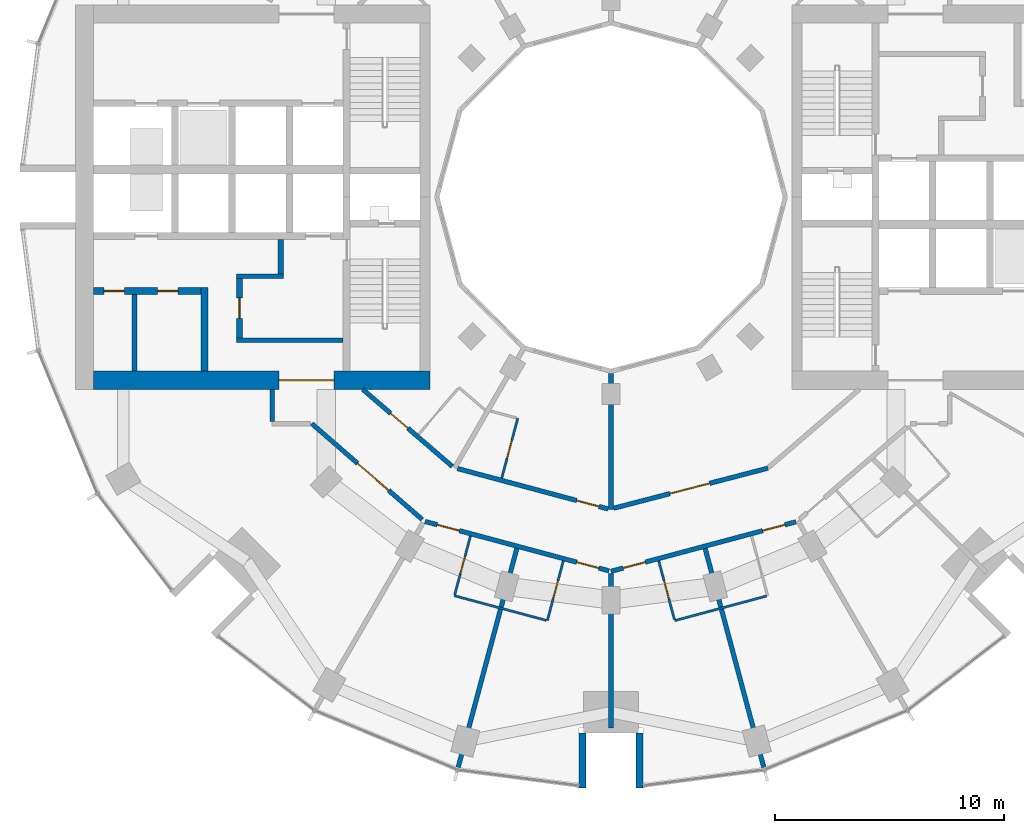
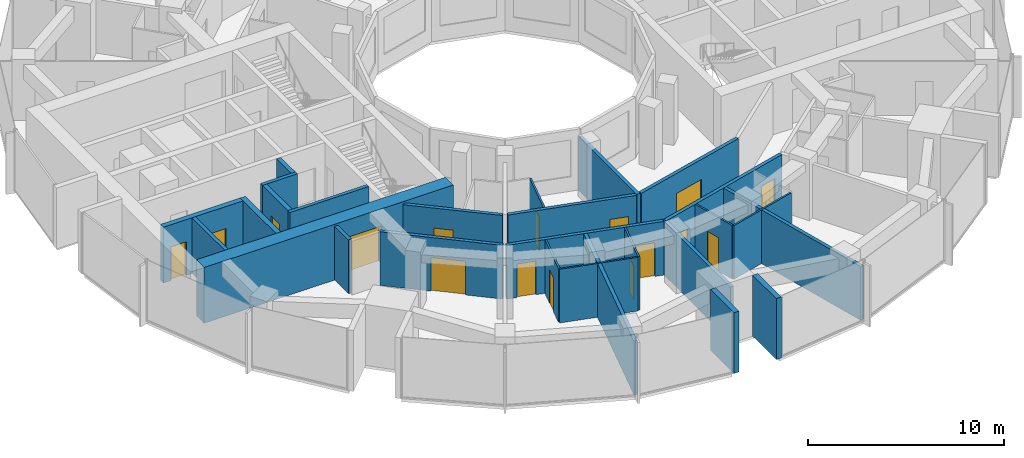
# One storey, part 8 of 15: 27 walls, 16 doors, 16 openings.
"""IFC4 building model written with IfcOpenShell, lengths in metres."""

from ifc_helpers import new_model, si_unit, direction, frame, frame_2d, origin, place, context, subcontext, project, spatial, rectangle, extrude, material, layer, layer_set, type_object, element, fill, save


model = new_model("IFC4")

# Units and contexts
model_context = context("Model", 3, precision=1e-05, world=origin(), true_north=direction((0.0, 1.0)))
body_context = subcontext(model_context, "Body", "Model", "MODEL_VIEW")
ifc_project = project(units=[si_unit("LENGTHUNIT", "METRE"), si_unit("AREAUNIT", "SQUARE_METRE"), si_unit("VOLUMEUNIT", "CUBIC_METRE"), si_unit("PLANEANGLEUNIT", "RADIAN"), si_unit("MASSUNIT", "GRAM", prefix="KILO")], contexts=[model_context])

# Site, building, storey
site_placement = place(None, origin())
site = spatial("IfcSite", under=ifc_project, at=site_placement, CompositionType="ELEMENT")
building_placement = place(site_placement, origin())
building = spatial("IfcBuilding", under=site, at=building_placement, Name="Torre Brocal", CompositionType="ELEMENT")
storey_placement = place(building_placement, frame((0.0, 0.0, 66.800048828125)))
storey = spatial("IfcBuildingStorey", under=building, at=storey_placement, Name="L15", CompositionType="ELEMENT", Elevation=66.800048828125)

# Walls
ifc_material_1 = material(Name="Masonry block", Category="masonry")
ifc_layer_1 = layer(ifc_material_1, 0.199951171875)
ifc_layer_set_1 = layer_set([ifc_layer_1], Name="Masonry block")
wall_type_1 = type_object("IfcWallType", Name="CORE PARTITION 200", PredefinedType="PARTITIONING", material=ifc_layer_set_1)
wall_1_placement = place(storey_placement, frame((59.18603515625, 70.75, 0.0), z_axis=(0.0, 0.0, 1.0), x_axis=(0.0, -1.0, 0.0)))
element("IfcWall", 1, at=wall_1_placement, inside=storey, type_object=wall_type_1, Name="Wall CP200", PredefinedType="PARTITIONING", context=body_context, shape_type="SweptSolid", body=[
    extrude(rectangle(XDim=3.35009765625, YDim=0.199951171875, at=frame_2d((1.675048828125, 0.0))), origin(), (0.0, 0.0, 1.0), 3.47998046875),
])
ifc_material_2 = material(Name="Concrete C80", Category="concrete")
ifc_layer_2 = layer(ifc_material_2, 0.199951171875)
ifc_layer_set_2 = layer_set([ifc_layer_2], Name="Concrete C80")
wall_type_2 = type_object("IfcWallType", Name="CORE WALL 200 C80", PredefinedType="SHEAR", material=ifc_layer_set_2)
wall_2_placement = place(storey_placement, frame((68.300048828125, 68.75, 0.0), z_axis=(0.0, 0.0, 1.0), x_axis=(-1.0, 0.0, 0.0)))
element("IfcWall", 2, at=wall_2_placement, inside=storey, type_object=wall_type_2, Name="Wall CW200-80", PredefinedType="SHEAR", context=body_context, shape_type="SweptSolid", body=[
    extrude(rectangle(XDim=4.650146484375, YDim=0.199951171875, at=frame_2d((2.3251953125, 0.0))), origin(), (0.0, 0.0, 1.0), 3.47998046875),
])
wall_3_placement = place(storey_placement, frame((65.699951171875, 71.550048828125, 0.0), z_axis=(0.0, 0.0, 1.0), x_axis=(-1.0, 0.0, 0.0)))
element("IfcWall", 3, at=wall_3_placement, inside=storey, type_object=wall_type_2, Name="Wall CW200-80", PredefinedType="SHEAR", context=body_context, shape_type="SweptSolid", body=[
    extrude(rectangle(XDim=2.050048828125, YDim=0.199951171875, at=frame_2d((1.02490234375, 0.0))), origin(), (0.0, 0.0, 1.0), 3.47998046875),
])

# Wall, opening, door
ifc_material_3 = material(Name="Concrete C80", Category="concrete")
ifc_layer_3 = layer(ifc_material_3, 0.25)
ifc_layer_set_3 = layer_set([ifc_layer_3], Name="Concrete C80")
wall_type_3 = type_object("IfcWallType", Name="CORE WALL 250 C80", PredefinedType="SHEAR", material=ifc_layer_set_3)
wall_4_placement = place(storey_placement, frame((63.77490234375, 71.449951171875, 0.0), z_axis=(0.0, 0.0, 1.0), x_axis=(0.0, -1.0, 0.0)))
wall_4 = element("IfcWall", 4, at=wall_4_placement, inside=storey, type_object=wall_type_3, Name="Wall CW250-80", PredefinedType="SHEAR", context=body_context, shape_type="SweptSolid", body=[
    extrude(rectangle(XDim=2.599853515625, YDim=0.25, at=frame_2d((1.2998046875, 0.0))), origin(), (0.0, 0.0, 1.0), 3.47998046875),
])
opening_1_placement = place(wall_4_placement, frame((0.85009765625, 0.0, 0.0)))
opening_1 = element("IfcOpeningElement", 5, at=opening_1_placement, cuts=wall_4, Name="Opening W-D15", PredefinedType="OPENING", context=body_context, shape_type="SweptSolid", body=[
    extrude(rectangle(XDim=0.89990234375, YDim=2.10009765625, at=frame_2d((0.449951171875, 1.050048828125))), frame((0.0, 0.135009765625, 0.0), z_axis=(0.0, -1.0, 0.0), x_axis=(1.0, 0.0, 0.0)), (0.0, 0.0, 1.0), 0.27001953125),
])
ifc_material_4 = material(Name="Steel A653", Category="steel")
door_type_1 = type_object("IfcDoorType", Name="LOBBY DOOR FD120 900X2100", OperationType="SINGLE_SWING_RIGHT", PredefinedType="DOOR", material=ifc_material_4)
door_1_placement = place(opening_1_placement, origin())
door_1 = element("IfcDoor", 6, at=door_1_placement, inside=storey, type_object=door_type_1, Name="Door W-D15", OperationType="SINGLE_SWING_LEFT", OverallHeight=2.10009765625, OverallWidth=0.89990234375, PredefinedType="DOOR", context=body_context, shape_type="SweptSolid", body=[
    extrude(rectangle(XDim=0.89990234375, YDim=2.10009765625, at=frame_2d((0.449951171875, 1.050048828125))), frame((0.0, 0.02490234375, 0.0), z_axis=(0.0, -1.0, 0.0), x_axis=(1.0, 0.0, 0.0)), (0.0, 0.0, 1.0), 0.050048828125),
])
fill(opening_1, door_1)

# Walls
wall_5_placement = place(storey_placement, frame((65.574951171875, 73.14990234375, 0.0), z_axis=(0.0, 0.0, 1.0), x_axis=(0.0, -1.0, 0.0)))
element("IfcWall", 7, at=wall_5_placement, inside=storey, type_object=wall_type_3, Name="Wall CW250-80", PredefinedType="SHEAR", context=body_context, shape_type="SweptSolid", body=[
    extrude(rectangle(XDim=1.5, YDim=0.25, at=frame_2d((0.75, 0.0))), origin(), (0.0, 0.0, 1.0), 3.47998046875),
])
ifc_material_5 = material(Name="Concrete C80", Category="concrete")
ifc_layer_4 = layer(ifc_material_5, 0.300048828125)
ifc_layer_set_4 = layer_set([ifc_layer_4], Name="Concrete C80")
wall_type_4 = type_object("IfcWallType", Name="CORE WALL 300 C80", PredefinedType="SHEAR", material=ifc_layer_set_4)
wall_6_placement = place(storey_placement, frame((62.25, 71.050048828125, 0.0), z_axis=(0.0, 0.0, 1.0), x_axis=(0.0, -1.0, 0.0)))
element("IfcWall", 8, at=wall_6_placement, inside=storey, type_object=wall_type_4, Name="Wall CW300-80", PredefinedType="SHEAR", context=body_context, shape_type="SweptSolid", body=[
    extrude(rectangle(XDim=3.650146484375, YDim=0.300048828125, at=frame_2d((1.8251953125, 0.0))), origin(), (0.0, 0.0, 1.0), 3.47998046875),
])

# Wall, openings, doors
wall_7_placement = place(storey_placement, frame((62.10009765625, 70.89990234375, 0.0), z_axis=(0.0, 0.0, 1.0), x_axis=(-1.0, 0.0, 0.0)))
wall_7 = element("IfcWall", 9, at=wall_7_placement, inside=storey, type_object=wall_type_4, Name="Wall CW300-80", PredefinedType="SHEAR", context=body_context, shape_type="SweptSolid", body=[
    extrude(rectangle(XDim=4.7001953125, YDim=0.300048828125, at=frame_2d((2.35009765625, 0.0))), origin(), (0.0, 0.0, 1.0), 3.47998046875),
])
opening_2_placement = place(wall_7_placement, frame((1.007080078125, 0.0, 0.0)))
opening_2 = element("IfcOpeningElement", 10, at=opening_2_placement, cuts=wall_7, Name="Opening W-D05", PredefinedType="OPENING", context=body_context, shape_type="SweptSolid", body=[
    extrude(rectangle(XDim=0.89990234375, YDim=2.10009765625, at=frame_2d((0.449951171875, 1.050048828125))), frame((0.0, 0.159912109375, 0.0), z_axis=(0.0, -1.0, 0.0), x_axis=(1.0, 0.0, 0.0)), (0.0, 0.0, 1.0), 0.320068359375),
])
opening_3_placement = place(wall_7_placement, frame((3.35693359375, 0.0, 0.0)))
opening_3 = element("IfcOpeningElement", 11, at=opening_3_placement, cuts=wall_7, Name="Opening W-D06", PredefinedType="OPENING", context=body_context, shape_type="SweptSolid", body=[
    extrude(rectangle(XDim=0.89990234375, YDim=2.10009765625, at=frame_2d((0.449951171875, 1.050048828125))), frame((0.0, 0.159912109375, 0.0), z_axis=(0.0, -1.0, 0.0), x_axis=(1.0, 0.0, 0.0)), (0.0, 0.0, 1.0), 0.320068359375),
])
ifc_material_6 = material(Name="Steel A653", Category="steel")
door_type_2 = type_object("IfcDoorType", Name="ROOM DOOR FD30S 900X2100", OperationType="SINGLE_SWING_LEFT", PredefinedType="DOOR", material=ifc_material_6)
door_2_placement = place(opening_2_placement, origin())
door_2 = element("IfcDoor", 12, at=door_2_placement, inside=storey, type_object=door_type_2, Name="Door W-D05", OperationType="SINGLE_SWING_RIGHT", OverallHeight=2.10009765625, OverallWidth=0.89990234375, PredefinedType="DOOR", context=body_context, shape_type="SweptSolid", body=[
    extrude(rectangle(XDim=0.89990234375, YDim=2.10009765625, at=frame_2d((0.449951171875, 1.050048828125))), frame((0.0, 0.02490234375, 0.0), z_axis=(0.0, -1.0, 0.0), x_axis=(1.0, 0.0, 0.0)), (0.0, 0.0, 1.0), 0.050048828125),
])
fill(opening_2, door_2)
door_3_placement = place(opening_3_placement, origin())
door_3 = element("IfcDoor", 13, at=door_3_placement, inside=storey, type_object=door_type_2, Name="Door W-D06", OperationType="SINGLE_SWING_LEFT", OverallHeight=2.10009765625, OverallWidth=0.89990234375, PredefinedType="DOOR", context=body_context, shape_type="SweptSolid", body=[
    extrude(rectangle(XDim=0.89990234375, YDim=2.10009765625, at=frame_2d((0.449951171875, 1.050048828125))), frame((0.0, 0.02490234375, 0.0), z_axis=(0.0, -1.0, 0.0), x_axis=(1.0, 0.0, 0.0)), (0.0, 0.0, 1.0), 0.050048828125),
])
fill(opening_3, door_3)

# Wall, opening, door
ifc_material_7 = material(Name="Concrete C80", Category="concrete")
ifc_layer_5 = layer(ifc_material_7, 0.800048828125)
ifc_layer_set_5 = layer_set([ifc_layer_5], Name="Concrete C80")
wall_type_5 = type_object("IfcWallType", Name="CORE WALL 800 C80", PredefinedType="SHEAR", material=ifc_layer_set_5)
wall_8_placement = place(storey_placement, frame((72.10009765625, 67.0, 0.0), z_axis=(0.0, 0.0, 1.0), x_axis=(-1.0, 0.0, 0.0)))
wall_8 = element("IfcWall", 14, at=wall_8_placement, inside=storey, type_object=wall_type_5, Name="Wall CW800-80", PredefinedType="SHEAR", context=body_context, shape_type="SweptSolid", body=[
    extrude(rectangle(XDim=14.7001953125, YDim=0.800048828125, at=frame_2d((7.35009765625, 0.0))), origin(), (0.0, 0.0, 1.0), 3.47998046875),
])
opening_4_placement = place(wall_8_placement, frame((4.199951171875, 0.0, 0.0)))
opening_4 = element("IfcOpeningElement", 15, at=opening_4_placement, cuts=wall_8, Name="Opening W-D24", PredefinedType="OPENING", context=body_context, shape_type="SweptSolid", body=[
    extrude(rectangle(XDim=2.39990234375, YDim=2.39990234375, at=frame_2d((1.199951171875, 1.199951171875))), frame((0.0, 0.409912109375, 0.0), z_axis=(0.0, -1.0, 0.0), x_axis=(1.0, 0.0, 0.0)), (0.0, 0.0, 1.0), 0.820068359375),
])
ifc_material_8 = material(Name="Steel A653", Category="steel")
door_type_3 = type_object("IfcDoorType", Name="DOUBLE FIRE DOOR FD90 2400X2400", OperationType="DOUBLE_DOOR_SINGLE_SWING", PredefinedType="DOOR", material=ifc_material_8)
door_4_placement = place(opening_4_placement, frame((2.39990234375, 0.0, 0.0), z_axis=(0.0, 0.0, 1.0), x_axis=(-1.0, 0.0, 0.0)))
door_4 = element("IfcDoor", 16, at=door_4_placement, inside=storey, type_object=door_type_3, Name="Door W-D24", OperationType="DOUBLE_DOOR_SINGLE_SWING", OverallHeight=2.39990234375, OverallWidth=2.39990234375, PredefinedType="DOOR", context=body_context, shape_type="SweptSolid", body=[
    extrude(rectangle(XDim=2.39990234375, YDim=2.39990234375, at=frame_2d((1.199951171875, 1.199951171875))), frame((0.0, 0.02490234375, 0.0), z_axis=(0.0, -1.0, 0.0), x_axis=(1.0, 0.0, 0.0)), (0.0, 0.0, 1.0), 0.050048828125),
])
fill(opening_4, door_4)

# Walls
ifc_material_9 = material(Name="Concrete C80", Category="concrete")
ifc_layer_6 = layer(ifc_material_9, 0.300048828125)
ifc_layer_set_6 = layer_set([ifc_layer_6], Name="Concrete C80")
wall_type_6 = type_object("IfcWallType", Name="NOTCH RETURN WALL 300 C80", PredefinedType="NOTDEFINED", material=ifc_layer_set_6)
for number, where, z_axis, x_axis, name in (
    (17, (78.75, 51.60009765625, 0.0), (0.0, 0.0, 1.0), (0.0, -1.0, 0.0), "NOTCH RETURN WALL"),
    (18, (81.25, 51.60009765625, 0.0), (0.0, 0.0, 1.0), (0.0, -1.0, 0.0), "NOTCH RETURN WALL"),
):
    element("IfcWall", number, at=place(storey_placement, frame(where, z_axis=z_axis, x_axis=x_axis)), inside=storey, type_object=wall_type_6, Name=name, PredefinedType="NOTDEFINED", context=body_context, shape_type="SweptSolid", body=[
        extrude(rectangle(XDim=2.415771484375, YDim=0.300048828125, at=frame_2d((1.2080078125, 0.0))), origin(), (0.0, 0.0, 1.0), 3.800048828125),
    ])

# Wall, opening, door
ifc_material_10 = material(Name="Gypsum board", Category="Gypsum")
ifc_layer_7 = layer(ifc_material_10, 0.10009765625)
ifc_layer_set_7 = layer_set([ifc_layer_7], Name="Gypsum board")
wall_type_7 = type_object("IfcWallType", Name="PARTITION 100", PredefinedType="PARTITIONING", material=ifc_layer_set_7)
wall_9_placement = place(storey_placement, frame((73.173828125, 57.63623046875, 0.0), z_axis=(0.0, 0.0, 1.0), x_axis=(0.258952498977, 0.96589005755, 0.0)))
wall_9 = element("IfcWall", 19, at=wall_9_placement, inside=storey, type_object=wall_type_7, Name="BATHROOM WALL", PredefinedType="PARTITIONING", context=body_context, shape_type="SweptSolid", body=[
    extrude(rectangle(XDim=2.650146484375, YDim=0.10009765625, at=frame_2d((1.3251953125, 0.0))), origin(), (0.0, 0.0, 1.0), 3.349853515625),
])
opening_5_placement = place(wall_9_placement, frame((0.9501953125, 0.0, 0.0)))
opening_5 = element("IfcOpeningElement", 20, at=opening_5_placement, cuts=wall_9, Name="Opening H04-D32", PredefinedType="OPENING", context=body_context, shape_type="SweptSolid", body=[
    extrude(rectangle(XDim=0.800048828125, YDim=2.10009765625, at=frame_2d((0.39990234375, 1.050048828125))), frame((0.0, 0.06005859375, 0.0), z_axis=(0.0, -1.0, 0.0), x_axis=(1.0, 0.0, 0.0)), (0.0, 0.0, 1.0), 0.1201171875),
])
ifc_material_11 = material(Name="Timber", Category="wood")
door_type_4 = type_object("IfcDoorType", Name="BATHROOM DOOR 800X2100", OperationType="SINGLE_SWING_LEFT", PredefinedType="DOOR", material=ifc_material_11)
door_5_placement = place(opening_5_placement, frame((0.800048828125, 0.0, 0.0), z_axis=(0.0, 0.0, 1.0), x_axis=(-1.0, 0.0, 0.0)))
door_5 = element("IfcDoor", 21, at=door_5_placement, inside=storey, type_object=door_type_4, Name="H04-D32", OperationType="SINGLE_SWING_LEFT", OverallHeight=2.10009765625, OverallWidth=0.800048828125, PredefinedType="DOOR", context=body_context, shape_type="SweptSolid", body=[
    extrude(rectangle(XDim=0.800048828125, YDim=2.10009765625, at=frame_2d((0.39990234375, 1.050048828125))), frame((0.0, 0.02490234375, 0.0), z_axis=(0.0, -1.0, 0.0), x_axis=(1.0, 0.0, 0.0)), (0.0, 0.0, 1.0), 0.050048828125),
])
fill(opening_5, door_5)

# Wall
wall_10_placement = place(storey_placement, frame((73.160888671875, 57.587890625, 0.0), z_axis=(0.0, 0.0, 1.0), x_axis=(0.965858994467, -0.259068336173, 0.0)))
element("IfcWall", 22, at=wall_10_placement, inside=storey, type_object=wall_type_7, Name="BATHROOM WALL", PredefinedType="PARTITIONING", context=body_context, shape_type="SweptSolid", body=[
    extrude(rectangle(XDim=4.150146484375, YDim=0.10009765625, at=frame_2d((2.0751953125, 0.0))), origin(), (0.0, 0.0, 1.0), 3.349853515625),
])

# Wall, opening, door
wall_11_placement = place(storey_placement, frame((75.226806640625, 62.728759765625, 0.0), z_axis=(0.0, 0.0, 1.0), x_axis=(0.258945475746, 0.965891940432, 0.0)))
wall_11 = element("IfcWall", 23, at=wall_11_placement, inside=storey, type_object=wall_type_7, Name="BATHROOM WALL", PredefinedType="PARTITIONING", context=body_context, shape_type="SweptSolid", body=[
    extrude(rectangle(XDim=2.7001953125, YDim=0.10009765625, at=frame_2d((1.35009765625, 0.0))), origin(), (0.0, 0.0, 1.0), 3.349853515625),
])
opening_6_placement = place(wall_11_placement, frame((0.900146484375, 0.0, 0.0)))
opening_6 = element("IfcOpeningElement", 24, at=opening_6_placement, cuts=wall_11, Name="Opening H04-D36", PredefinedType="OPENING", context=body_context, shape_type="SweptSolid", body=[
    extrude(rectangle(XDim=0.800048828125, YDim=2.10009765625, at=frame_2d((0.39990234375, 1.050048828125))), frame((0.0, 0.06005859375, 0.0), z_axis=(0.0, -1.0, 0.0), x_axis=(1.0, 0.0, 0.0)), (0.0, 0.0, 1.0), 0.1201171875),
])
door_6_placement = place(opening_6_placement, origin())
door_6 = element("IfcDoor", 25, at=door_6_placement, inside=storey, type_object=door_type_4, Name="H04-D36", OperationType="SINGLE_SWING_LEFT", OverallHeight=2.10009765625, OverallWidth=0.800048828125, PredefinedType="DOOR", context=body_context, shape_type="SweptSolid", body=[
    extrude(rectangle(XDim=0.800048828125, YDim=2.10009765625, at=frame_2d((0.39990234375, 1.050048828125))), frame((0.0, 0.02490234375, 0.0), z_axis=(0.0, -1.0, 0.0), x_axis=(1.0, 0.0, 0.0)), (0.0, 0.0, 1.0), 0.050048828125),
])
fill(opening_6, door_6)

wall_12_placement = place(storey_placement, frame((77.218017578125, 56.5009765625, 0.0), z_axis=(0.0, 0.0, 1.0), x_axis=(0.258591408257, 0.965986792651, 0.0)))
wall_12 = element("IfcWall", 26, at=wall_12_placement, inside=storey, type_object=wall_type_7, Name="BATHROOM WALL", PredefinedType="PARTITIONING", context=body_context, shape_type="SweptSolid", body=[
    extrude(rectangle(XDim=2.69921875, YDim=0.10009765625, at=frame_2d((1.349609375, 0.0))), origin(), (0.0, 0.0, 1.0), 3.349853515625),
])
opening_7_placement = place(wall_12_placement, frame((0.99951171875, 0.0, 0.0)))
opening_7 = element("IfcOpeningElement", 27, at=opening_7_placement, cuts=wall_12, Name="Opening H04-D30", PredefinedType="OPENING", context=body_context, shape_type="SweptSolid", body=[
    extrude(rectangle(XDim=0.800048828125, YDim=2.10009765625, at=frame_2d((0.39990234375, 1.050048828125))), frame((0.0, 0.06005859375, 0.0), z_axis=(0.0, -1.0, 0.0), x_axis=(1.0, 0.0, 0.0)), (0.0, 0.0, 1.0), 0.1201171875),
])
door_7_placement = place(opening_7_placement, origin())
door_7 = element("IfcDoor", 28, at=door_7_placement, inside=storey, type_object=door_type_4, Name="H04-D30", OperationType="SINGLE_SWING_RIGHT", OverallHeight=2.10009765625, OverallWidth=0.800048828125, PredefinedType="DOOR", context=body_context, shape_type="SweptSolid", body=[
    extrude(rectangle(XDim=0.800048828125, YDim=2.10009765625, at=frame_2d((0.39990234375, 1.050048828125))), frame((0.0, 0.02490234375, 0.0), z_axis=(0.0, -1.0, 0.0), x_axis=(1.0, 0.0, 0.0)), (0.0, 0.0, 1.0), 0.050048828125),
])
fill(opening_7, door_7)

wall_13_placement = place(storey_placement, frame((82.083984375, 59.1083984375, 0.0), z_axis=(0.0, 0.0, 1.0), x_axis=(0.258591746437, -0.965986702121, 0.0)))
wall_13 = element("IfcWall", 29, at=wall_13_placement, inside=storey, type_object=wall_type_7, Name="BATHROOM WALL", PredefinedType="PARTITIONING", context=body_context, shape_type="SweptSolid", body=[
    extrude(rectangle(XDim=2.649169921875, YDim=0.10009765625, at=frame_2d((1.32470703125, 0.0))), origin(), (0.0, 0.0, 1.0), 3.349853515625),
])
opening_8_placement = place(wall_13_placement, frame((0.899658203125, 0.0, 0.0)))
opening_8 = element("IfcOpeningElement", 30, at=opening_8_placement, cuts=wall_13, Name="Opening H04-D28", PredefinedType="OPENING", context=body_context, shape_type="SweptSolid", body=[
    extrude(rectangle(XDim=0.800048828125, YDim=2.10009765625, at=frame_2d((0.39990234375, 1.050048828125))), frame((0.0, 0.06005859375, 0.0), z_axis=(0.0, -1.0, 0.0), x_axis=(1.0, 0.0, 0.0)), (0.0, 0.0, 1.0), 0.1201171875),
])
door_8_placement = place(opening_8_placement, origin())
door_8 = element("IfcDoor", 31, at=door_8_placement, inside=storey, type_object=door_type_4, Name="H04-D28", OperationType="SINGLE_SWING_LEFT", OverallHeight=2.10009765625, OverallWidth=0.800048828125, PredefinedType="DOOR", context=body_context, shape_type="SweptSolid", body=[
    extrude(rectangle(XDim=0.800048828125, YDim=2.10009765625, at=frame_2d((0.39990234375, 1.050048828125))), frame((0.0, 0.02490234375, 0.0), z_axis=(0.0, -1.0, 0.0), x_axis=(1.0, 0.0, 0.0)), (0.0, 0.0, 1.0), 0.050048828125),
])
fill(opening_8, door_8)

# Walls
wall_14_placement = place(storey_placement, frame((82.781982421875, 56.5009765625, 0.0), z_axis=(0.0, 0.0, 1.0), x_axis=(0.965999228418, 0.258544949083, 0.0)))
element("IfcWall", 32, at=wall_14_placement, inside=storey, type_object=wall_type_7, Name="BATHROOM WALL", PredefinedType="PARTITIONING", context=body_context, shape_type="SweptSolid", body=[
    extrude(rectangle(XDim=4.150146484375, YDim=0.10009765625, at=frame_2d((2.0751953125, 0.0))), origin(), (0.0, 0.0, 1.0), 3.349853515625),
])
ifc_material_12 = material(Name="Gypsum board", Category="Gypsum")
ifc_layer_8 = layer(ifc_material_12, 0.199951171875)
ifc_layer_set_8 = layer_set([ifc_layer_8], Name="Gypsum board")
wall_type_8 = type_object("IfcWallType", Name="PARTITION 200 EI60", PredefinedType="PARTITIONING", material=ifc_layer_set_8)
wall_15_placement = place(storey_placement, frame((65.199951171875, 65.199951171875, 0.0), z_axis=(0.0, 0.0, 1.0), x_axis=(0.0, 1.0, 0.0)))
element("IfcWall", 33, at=wall_15_placement, inside=storey, type_object=wall_type_8, Name="CORRIDOR WALL", PredefinedType="PARTITIONING", context=body_context, shape_type="SweptSolid", body=[
    extrude(rectangle(XDim=1.399169921875, YDim=0.199951171875, at=frame_2d((0.69970703125, 0.0))), origin(), (0.0, 0.0, 1.0), 3.349853515625),
])

# Wall, opening, door
wall_16_placement = place(storey_placement, frame((66.92431640625, 65.110595703125, 0.0), z_axis=(0.0, 0.0, 1.0), x_axis=(0.755023669255, -0.655697536113, 0.0)))
wall_16 = element("IfcWall", 34, at=wall_16_placement, inside=storey, type_object=wall_type_8, Name="GUESTROOM CORRIDOR WALL", PredefinedType="PARTITIONING", context=body_context, shape_type="SweptSolid", body=[
    extrude(rectangle(XDim=6.395751953125, YDim=0.199951171875, at=frame_2d((3.19775390625, 0.0))), origin(), (0.0, 0.0, 1.0), 3.349853515625),
])
opening_9_placement = place(wall_16_placement, frame((2.65771484375, 0.0, 0.0)))
opening_9 = element("IfcOpeningElement", 35, at=opening_9_placement, cuts=wall_16, Name="Opening H04-D33", PredefinedType="OPENING", context=body_context, shape_type="SweptSolid", body=[
    extrude(rectangle(XDim=1.800048828125, YDim=2.10009765625, at=frame_2d((0.89990234375, 1.050048828125))), frame((0.0, 0.10986328125, 0.0), z_axis=(0.0, -1.0, 0.0), x_axis=(1.0, 0.0, 0.0)), (0.0, 0.0, 1.0), 0.219970703125),
])
ifc_material_13 = material(Name="Timber", Category="wood")
door_type_5 = type_object("IfcDoorType", Name="DOUBLE DOOR 1800X2100", OperationType="DOUBLE_DOOR_SINGLE_SWING", PredefinedType="DOOR", material=ifc_material_13)
door_9_placement = place(opening_9_placement, frame((1.800048828125, 0.0, 0.0), z_axis=(0.0, 0.0, 1.0), x_axis=(-1.0, 0.0, 0.0)))
door_9 = element("IfcDoor", 36, at=door_9_placement, inside=storey, type_object=door_type_5, Name="H04-D33", OperationType="DOUBLE_DOOR_SINGLE_SWING", OverallHeight=2.10009765625, OverallWidth=1.800048828125, PredefinedType="DOOR", context=body_context, shape_type="SweptSolid", body=[
    extrude(rectangle(XDim=1.800048828125, YDim=2.10009765625, at=frame_2d((0.89990234375, 1.050048828125))), frame((0.0, 0.02490234375, 0.0), z_axis=(0.0, -1.0, 0.0), x_axis=(1.0, 0.0, 0.0)), (0.0, 0.0, 1.0), 0.050048828125),
])
fill(opening_9, door_9)

wall_17_placement = place(storey_placement, frame((69.158203125, 66.60009765625, 0.0), z_axis=(0.0, 0.0, 1.0), x_axis=(0.757976058094, -0.652282373943, 0.0)))
wall_17 = element("IfcWall", 37, at=wall_17_placement, inside=storey, type_object=wall_type_8, Name="GUESTROOM CORRIDOR WALL", PredefinedType="PARTITIONING", context=body_context, shape_type="SweptSolid", body=[
    extrude(rectangle(XDim=5.160400390625, YDim=0.199951171875, at=frame_2d((2.580078125, 0.0))), origin(), (0.0, 0.0, 1.0), 3.349853515625),
])
opening_10_placement = place(wall_17_placement, frame((1.60009765625, 0.0, 0.0)))
opening_10 = element("IfcOpeningElement", 38, at=opening_10_placement, cuts=wall_17, Name="Opening H04-D37", PredefinedType="OPENING", context=body_context, shape_type="SweptSolid", body=[
    extrude(rectangle(XDim=1.0, YDim=2.10009765625, at=frame_2d((0.5, 1.050048828125))), frame((0.0, 0.10986328125, 0.0), z_axis=(0.0, -1.0, 0.0), x_axis=(1.0, 0.0, 0.0)), (0.0, 0.0, 1.0), 0.219970703125),
])
ifc_material_14 = material(Name="Timber", Category="wood")
door_type_6 = type_object("IfcDoorType", Name="FLAT ENTRY DOOR FD30S 1000X2100", OperationType="SINGLE_SWING_RIGHT", PredefinedType="DOOR", material=ifc_material_14)
door_10_placement = place(opening_10_placement, origin())
door_10 = element("IfcDoor", 39, at=door_10_placement, inside=storey, type_object=door_type_6, Name="H04-D37", OperationType="SINGLE_SWING_RIGHT", OverallHeight=2.10009765625, OverallWidth=1.0, PredefinedType="DOOR", context=body_context, shape_type="SweptSolid", body=[
    extrude(rectangle(XDim=1.0, YDim=2.10009765625, at=frame_2d((0.5, 1.050048828125))), frame((0.0, 0.02490234375, 0.0), z_axis=(0.0, -1.0, 0.0), x_axis=(1.0, 0.0, 0.0)), (0.0, 0.0, 1.0), 0.050048828125),
])
fill(opening_10, door_10)

# Wall, openings, doors
wall_18_placement = place(storey_placement, frame((71.877197265625, 60.83154296875, 0.0), z_axis=(0.0, 0.0, 1.0), x_axis=(0.965852509869, -0.259092510851, 0.0)))
wall_18 = element("IfcWall", 40, at=wall_18_placement, inside=storey, type_object=wall_type_8, Name="GUESTROOM CORRIDOR WALL", PredefinedType="PARTITIONING", context=body_context, shape_type="SweptSolid", body=[
    extrude(rectangle(XDim=8.319580078125, YDim=0.199951171875, at=frame_2d((4.15966796875, 0.0))), origin(), (0.0, 0.0, 1.0), 3.349853515625),
])
opening_11_placement = place(wall_18_placement, frame((6.859619140625, 0.0, 0.0)))
opening_11 = element("IfcOpeningElement", 41, at=opening_11_placement, cuts=wall_18, Name="Opening H04-D29", PredefinedType="OPENING", context=body_context, shape_type="SweptSolid", body=[
    extrude(rectangle(XDim=1.0, YDim=2.10009765625, at=frame_2d((0.5, 1.050048828125))), frame((0.0, 0.10986328125, 0.0), z_axis=(0.0, -1.0, 0.0), x_axis=(1.0, 0.0, 0.0)), (0.0, 0.0, 1.0), 0.219970703125),
])
opening_12_placement = place(wall_18_placement, frame((0.550048828125, 0.0, 0.0)))
opening_12 = element("IfcOpeningElement", 42, at=opening_12_placement, cuts=wall_18, Name="Opening H04-D31", PredefinedType="OPENING", context=body_context, shape_type="SweptSolid", body=[
    extrude(rectangle(XDim=1.0, YDim=2.10009765625, at=frame_2d((0.5, 1.050048828125))), frame((0.0, 0.10986328125, 0.0), z_axis=(0.0, -1.0, 0.0), x_axis=(1.0, 0.0, 0.0)), (0.0, 0.0, 1.0), 0.219970703125),
])
door_11_placement = place(opening_11_placement, frame((1.0, 0.0, 0.0), z_axis=(0.0, 0.0, 1.0), x_axis=(-1.0, 0.0, 0.0)))
door_11 = element("IfcDoor", 43, at=door_11_placement, inside=storey, type_object=door_type_6, Name="H04-D29", OperationType="SINGLE_SWING_RIGHT", OverallHeight=2.10009765625, OverallWidth=1.0, PredefinedType="DOOR", context=body_context, shape_type="SweptSolid", body=[
    extrude(rectangle(XDim=1.0, YDim=2.10009765625, at=frame_2d((0.5, 1.050048828125))), frame((0.0, 0.02490234375, 0.0), z_axis=(0.0, -1.0, 0.0), x_axis=(1.0, 0.0, 0.0)), (0.0, 0.0, 1.0), 0.050048828125),
])
fill(opening_11, door_11)
door_12_placement = place(opening_12_placement, frame((1.0, 0.0, 0.0), z_axis=(0.0, 0.0, 1.0), x_axis=(-1.0, 0.0, 0.0)))
door_12 = element("IfcDoor", 44, at=door_12_placement, inside=storey, type_object=door_type_6, Name="H04-D31", OperationType="SINGLE_SWING_LEFT", OverallHeight=2.10009765625, OverallWidth=1.0, PredefinedType="DOOR", context=body_context, shape_type="SweptSolid", body=[
    extrude(rectangle(XDim=1.0, YDim=2.10009765625, at=frame_2d((0.5, 1.050048828125))), frame((0.0, 0.02490234375, 0.0), z_axis=(0.0, -1.0, 0.0), x_axis=(1.0, 0.0, 0.0)), (0.0, 0.0, 1.0), 0.050048828125),
])
fill(opening_12, door_12)

# Wall, opening, door
wall_19_placement = place(storey_placement, frame((73.296875, 63.142578125, 0.0), z_axis=(0.0, 0.0, 1.0), x_axis=(0.965859030528, -0.25906820173, 0.0)))
wall_19 = element("IfcWall", 45, at=wall_19_placement, inside=storey, type_object=wall_type_8, Name="GUESTROOM CORRIDOR WALL", PredefinedType="PARTITIONING", context=body_context, shape_type="SweptSolid", body=[
    extrude(rectangle(XDim=6.8095703125, YDim=0.199951171875, at=frame_2d((3.40478515625, 0.0))), origin(), (0.0, 0.0, 1.0), 3.349853515625),
])
opening_13_placement = place(wall_19_placement, frame((5.3896484375, 0.0, 0.0)))
opening_13 = element("IfcOpeningElement", 46, at=opening_13_placement, cuts=wall_19, Name="Opening H04-D35", PredefinedType="OPENING", context=body_context, shape_type="SweptSolid", body=[
    extrude(rectangle(XDim=1.0, YDim=2.10009765625, at=frame_2d((0.5, 1.050048828125))), frame((0.0, 0.10986328125, 0.0), z_axis=(0.0, -1.0, 0.0), x_axis=(1.0, 0.0, 0.0)), (0.0, 0.0, 1.0), 0.219970703125),
])
door_13_placement = place(opening_13_placement, origin())
door_13 = element("IfcDoor", 47, at=door_13_placement, inside=storey, type_object=door_type_6, Name="H04-D35", OperationType="SINGLE_SWING_RIGHT", OverallHeight=2.10009765625, OverallWidth=1.0, PredefinedType="DOOR", context=body_context, shape_type="SweptSolid", body=[
    extrude(rectangle(XDim=1.0, YDim=2.10009765625, at=frame_2d((0.5, 1.050048828125))), frame((0.0, 0.02490234375, 0.0), z_axis=(0.0, -1.0, 0.0), x_axis=(1.0, 0.0, 0.0)), (0.0, 0.0, 1.0), 0.050048828125),
])
fill(opening_13, door_13)

# Wall
wall_20_placement = place(storey_placement, frame((73.32080078125, 50.081298828125, 0.0), z_axis=(0.0, 0.0, 1.0), x_axis=(0.258889198551, 0.965907025999, 0.0)))
element("IfcWall", 48, at=wall_20_placement, inside=storey, type_object=wall_type_8, Name="BATHROOM WALL", PredefinedType="PARTITIONING", context=body_context, shape_type="SweptSolid", body=[
    extrude(rectangle(XDim=9.909423828125, YDim=0.199951171875, at=frame_2d((4.95458984375, 0.0))), origin(), (0.0, 0.0, 1.0), 3.349853515625),
])

# Wall, opening, door
wall_21_placement = place(storey_placement, frame((80.11865234375, 61.409912109375, 0.0), z_axis=(0.0, 0.0, 1.0), x_axis=(0.967823361235, 0.251630565408, 0.0)))
wall_21 = element("IfcWall", 49, at=wall_21_placement, inside=storey, type_object=wall_type_8, Name="GUESTROOM CORRIDOR WALL", PredefinedType="PARTITIONING", context=body_context, shape_type="SweptSolid", body=[
    extrude(rectangle(XDim=6.95849609375, YDim=0.199951171875, at=frame_2d((3.479248046875, 0.0))), origin(), (0.0, 0.0, 1.0), 3.349853515625),
])
opening_14_placement = place(wall_21_placement, frame((2.52880859375, 0.0, 0.0)))
opening_14 = element("IfcOpeningElement", 50, at=opening_14_placement, cuts=wall_21, Name="Opening H04-D34", PredefinedType="OPENING", context=body_context, shape_type="SweptSolid", body=[
    extrude(rectangle(XDim=1.800048828125, YDim=2.10009765625, at=frame_2d((0.89990234375, 1.050048828125))), frame((0.0, 0.10986328125, 0.0), z_axis=(0.0, -1.0, 0.0), x_axis=(1.0, 0.0, 0.0)), (0.0, 0.0, 1.0), 0.219970703125),
])
door_14_placement = place(opening_14_placement, origin())
door_14 = element("IfcDoor", 51, at=door_14_placement, inside=storey, type_object=door_type_5, Name="H04-D34", OperationType="DOUBLE_DOOR_SINGLE_SWING", OverallHeight=2.10009765625, OverallWidth=1.800048828125, PredefinedType="DOOR", context=body_context, shape_type="SweptSolid", body=[
    extrude(rectangle(XDim=1.800048828125, YDim=2.10009765625, at=frame_2d((0.89990234375, 1.050048828125))), frame((0.0, 0.02490234375, 0.0), z_axis=(0.0, -1.0, 0.0), x_axis=(1.0, 0.0, 0.0)), (0.0, 0.0, 1.0), 0.050048828125),
])
fill(opening_14, door_14)

# Wall
wall_22_placement = place(storey_placement, frame((80.0, 51.800048828125, 0.0), z_axis=(0.0, 0.0, 1.0), x_axis=(0.0, 1.0, 0.0)))
element("IfcWall", 52, at=wall_22_placement, inside=storey, type_object=wall_type_8, Name="PARTY PARTITION", PredefinedType="PARTITIONING", context=body_context, shape_type="SweptSolid", body=[
    extrude(rectangle(XDim=6.763916015625, YDim=0.199951171875, at=frame_2d((3.3818359375, 0.0))), origin(), (0.0, 0.0, 1.0), 3.349853515625),
])

# Wall, openings, doors
wall_23_placement = place(storey_placement, frame((79.999755859375, 58.65478515625, 0.0), z_axis=(0.0, 0.0, 1.0), x_axis=(0.965974635626, 0.258636817424, 0.0)))
wall_23 = element("IfcWall", 53, at=wall_23_placement, inside=storey, type_object=wall_type_8, Name="GUESTROOM CORRIDOR WALL", PredefinedType="PARTITIONING", context=body_context, shape_type="SweptSolid", body=[
    extrude(rectangle(XDim=8.359619140625, YDim=0.199951171875, at=frame_2d((4.1796875, 0.0))), origin(), (0.0, 0.0, 1.0), 3.349853515625),
])
opening_15_placement = place(wall_23_placement, frame((6.859619140625, 0.0, 0.0)))
opening_15 = element("IfcOpeningElement", 54, at=opening_15_placement, cuts=wall_23, Name="Opening H04-D25", PredefinedType="OPENING", context=body_context, shape_type="SweptSolid", body=[
    extrude(rectangle(XDim=1.0, YDim=2.10009765625, at=frame_2d((0.5, 1.050048828125))), frame((0.0, 0.10986328125, 0.0), z_axis=(0.0, -1.0, 0.0), x_axis=(1.0, 0.0, 0.0)), (0.0, 0.0, 1.0), 0.219970703125),
])
opening_16_placement = place(wall_23_placement, frame((0.550048828125, 0.0, 0.0)))
opening_16 = element("IfcOpeningElement", 55, at=opening_16_placement, cuts=wall_23, Name="Opening H04-D27", PredefinedType="OPENING", context=body_context, shape_type="SweptSolid", body=[
    extrude(rectangle(XDim=1.0, YDim=2.10009765625, at=frame_2d((0.5, 1.050048828125))), frame((0.0, 0.10986328125, 0.0), z_axis=(0.0, -1.0, 0.0), x_axis=(1.0, 0.0, 0.0)), (0.0, 0.0, 1.0), 0.219970703125),
])
door_15_placement = place(opening_15_placement, frame((1.0, 0.0, 0.0), z_axis=(0.0, 0.0, 1.0), x_axis=(-1.0, 0.0, 0.0)))
door_15 = element("IfcDoor", 56, at=door_15_placement, inside=storey, type_object=door_type_6, Name="H04-D25", OperationType="SINGLE_SWING_RIGHT", OverallHeight=2.10009765625, OverallWidth=1.0, PredefinedType="DOOR", context=body_context, shape_type="SweptSolid", body=[
    extrude(rectangle(XDim=1.0, YDim=2.10009765625, at=frame_2d((0.5, 1.050048828125))), frame((0.0, 0.02490234375, 0.0), z_axis=(0.0, -1.0, 0.0), x_axis=(1.0, 0.0, 0.0)), (0.0, 0.0, 1.0), 0.050048828125),
])
fill(opening_15, door_15)
door_16_placement = place(opening_16_placement, frame((1.0, 0.0, 0.0), z_axis=(0.0, 0.0, 1.0), x_axis=(-1.0, 0.0, 0.0)))
door_16 = element("IfcDoor", 57, at=door_16_placement, inside=storey, type_object=door_type_6, Name="H04-D27", OperationType="SINGLE_SWING_LEFT", OverallHeight=2.10009765625, OverallWidth=1.0, PredefinedType="DOOR", context=body_context, shape_type="SweptSolid", body=[
    extrude(rectangle(XDim=1.0, YDim=2.10009765625, at=frame_2d((0.5, 1.050048828125))), frame((0.0, 0.02490234375, 0.0), z_axis=(0.0, -1.0, 0.0), x_axis=(1.0, 0.0, 0.0)), (0.0, 0.0, 1.0), 0.050048828125),
])
fill(opening_16, door_16)

# Walls
wall_24_placement = place(storey_placement, frame((80.0, 61.346923828125, 0.0), z_axis=(0.0, 0.0, 1.0), x_axis=(0.0, 1.0, 0.0)))
element("IfcWall", 58, at=wall_24_placement, inside=storey, type_object=wall_type_8, Name="PARTY PARTITION", PredefinedType="PARTITIONING", context=body_context, shape_type="SweptSolid", body=[
    extrude(rectangle(XDim=5.953125, YDim=0.199951171875, at=frame_2d((2.9765625, 0.0))), origin(), (0.0, 0.0, 1.0), 3.349853515625),
])
wall_25_placement = place(storey_placement, frame((84.112060546875, 59.65234375, 0.0), z_axis=(0.0, 0.0, 1.0), x_axis=(0.258791091927, -0.965933315886, 0.0)))
element("IfcWall", 59, at=wall_25_placement, inside=storey, type_object=wall_type_8, Name="BATHROOM WALL", PredefinedType="PARTITIONING", context=body_context, shape_type="SweptSolid", body=[
    extrude(rectangle(XDim=9.909423828125, YDim=0.199951171875, at=frame_2d((4.95458984375, 0.0))), origin(), (0.0, 0.0, 1.0), 3.349853515625),
])

save(model, "model.ifc")
